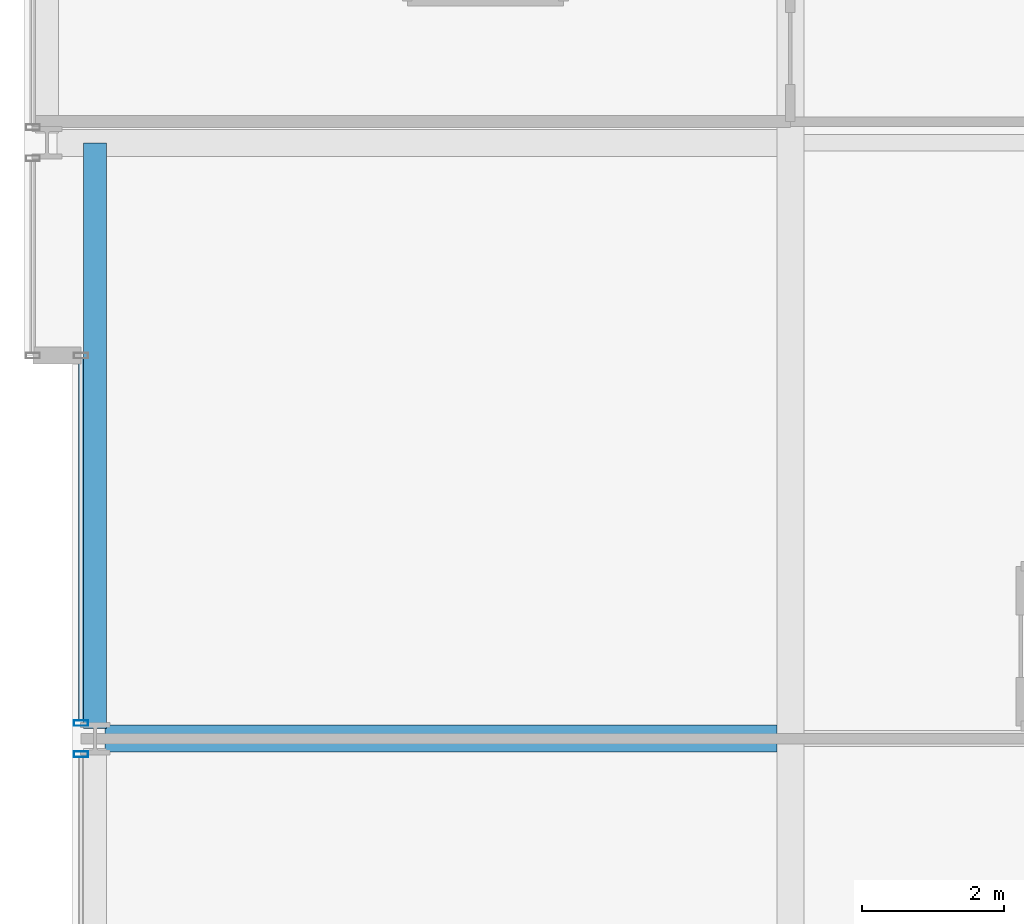
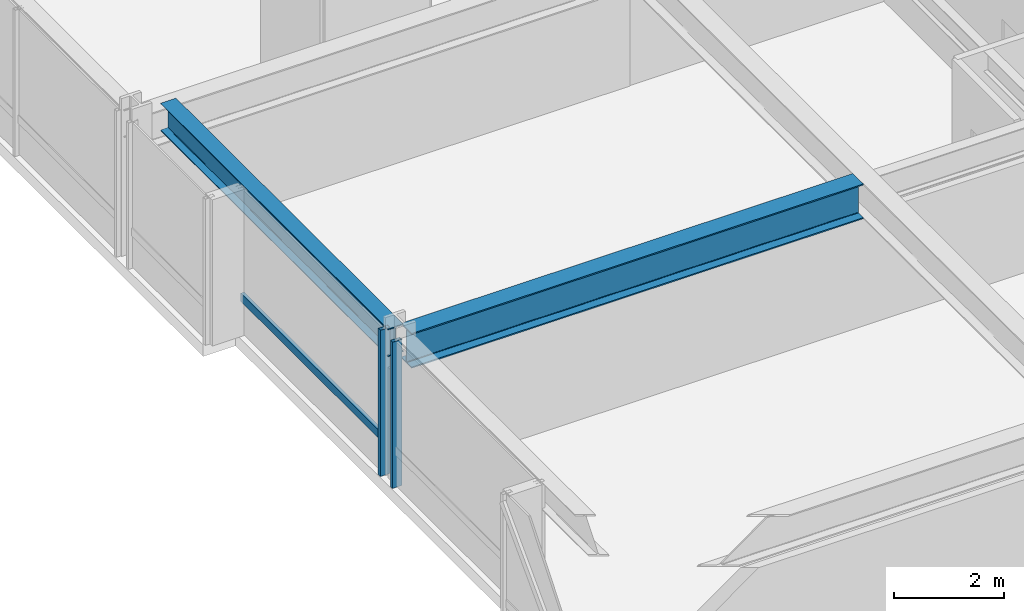
# One storey, part 9 of 35: 3 members, 2 beams, 2 elements without a shape of their own.
"""IFC4 building model written with IfcOpenShell, lengths in metres."""

from ifc_helpers import new_model, si_unit, direction, frame, origin, origin_2d, place, context, subcontext, project, spatial, hollow_rectangle, i_section, extrude, material, layer, layer_set, material_profile, profile_set, type_object, element, aggregate, save


model = new_model("IFC4")

# Units and contexts
model_context = context("Model", 3, precision=1e-05, world=origin(), true_north=direction((0.0, 1.0)))
body_context = subcontext(model_context, "Body", "Model", "MODEL_VIEW")
ifc_project = project(units=[si_unit("LENGTHUNIT", "METRE"), si_unit("AREAUNIT", "SQUARE_METRE"), si_unit("VOLUMEUNIT", "CUBIC_METRE"), si_unit("PLANEANGLEUNIT", "RADIAN"), si_unit("MASSUNIT", "GRAM", prefix="KILO")], contexts=[model_context])

# Site, building, storey
site_placement = place(None, origin())
site = spatial("IfcSite", under=ifc_project, at=site_placement, CompositionType="ELEMENT")
building_placement = place(site_placement, origin())
building = spatial("IfcBuilding", under=site, at=building_placement, Name="Drelvath Grand Hotel", CompositionType="ELEMENT")
storey_placement = place(building_placement, frame((0.0, 0.0, 98.800048828125)))
storey = spatial("IfcBuildingStorey", under=building, at=storey_placement, Name="L24", CompositionType="ELEMENT", Elevation=98.800048828125)

# Curtain wall, member
ifc_material_1 = material(Name="Champagne Bronze Anodised Aluminium Frame", Category="aluminium")
ifc_layer = layer(ifc_material_1, 0.199951171875)
ifc_layer_set = layer_set([ifc_layer], Name="Champagne Bronze Anodised Aluminium Frame")
curtain_wall_type = type_object("IfcCurtainWallType", Name="Stick Curtain Wall CW-03 Champagne Bronze Mid-Rise", PredefinedType="NOTDEFINED", material=ifc_layer_set)
curtain_wall_1_placement = place(storey_placement, origin())
curtain_wall_1 = element("IfcCurtainWall", 1, at=curtain_wall_1_placement, inside=storey, type_object=curtain_wall_type, Name="L24 CW-03 Curtain Wall CW03-L24-WM2", PredefinedType="NOTDEFINED")
ifc_material_profile_1 = material_profile(ifc_material_1, hollow_rectangle(XDim=0.074951171875, YDim=0.179931640625, WallThickness=0.0048828125, at=origin_2d()), Name="HSS180X75X5")
ifc_profile_set_1 = profile_set([ifc_material_profile_1], Name="Champagne Bronze Anodised Aluminium Frame")
member_type_1 = type_object("IfcMemberType", Name="Curtain Wall Horizontal Transom CW-03 HSS180X75X5", PredefinedType="USERDEFINED", material=ifc_profile_set_1)
member_1_placement = place(storey_placement, frame((-26.199951171875, 27.259521484375, 0.81005859375), z_axis=(0.0, 1.0, 0.0), x_axis=(-1.0, 0.0, 0.0)))
member_1 = element("IfcMember", 2, at=member_1_placement, type_object=member_type_1, Name="CW03-L24-WM2 Sill Transom", ObjectType="TRANSOM", PredefinedType="USERDEFINED", context=body_context, shape_type="SweptSolid", body=[
    extrude(hollow_rectangle(XDim=0.074951171875, YDim=0.179931640625, WallThickness=0.0048828125, at=origin_2d()), origin(), (0.0, 0.0, 1.0), 5.1005859375),
])

curtain_wall_2_placement = place(storey_placement, origin())
curtain_wall_2 = element("IfcCurtainWall", 3, at=curtain_wall_2_placement, inside=storey, type_object=curtain_wall_type, Name="L24 CW-03 Curtain Wall CW03-L24-WM1", PredefinedType="NOTDEFINED")
ifc_material_profile_2 = material_profile(ifc_material_1, hollow_rectangle(XDim=0.080078125, YDim=0.199951171875, WallThickness=0.0048828125, at=origin_2d()), Name="HSS200X80X5")
ifc_profile_set_2 = profile_set([ifc_material_profile_2], Name="Champagne Bronze Anodised Aluminium Frame")
member_type_2 = type_object("IfcMemberType", Name="Curtain Wall Vertical Mullion CW-03 HSS200X80X5", PredefinedType="MULLION", material=ifc_profile_set_2)
member_2_placement = place(storey_placement, frame((-26.199951171875, 26.780517578125, 0.0), z_axis=(0.0, 0.0, 1.0), x_axis=(0.0, 1.0, 0.0)))
member_2 = element("IfcMember", 4, at=member_2_placement, type_object=member_type_2, Name="CW03-L24-WM1 Mullion 2", PredefinedType="MULLION", context=body_context, shape_type="SweptSolid", body=[
    extrude(hollow_rectangle(XDim=0.080078125, YDim=0.199951171875, WallThickness=0.0048828125, at=origin_2d()), origin(), (0.0, 0.0, 1.0), 3.239990234375),
])
aggregate(curtain_wall_2, [member_2])

# Member
member_3_placement = place(storey_placement, frame((-26.199951171875, 27.219482421875, 0.0), z_axis=(0.0, 0.0, 1.0), x_axis=(0.0, 1.0, 0.0)))
member_3 = element("IfcMember", 5, at=member_3_placement, type_object=member_type_2, Name="CW03-L24-WM2 Mullion 1", PredefinedType="MULLION", context=body_context, shape_type="SweptSolid", body=[
    extrude(hollow_rectangle(XDim=0.080078125, YDim=0.199951171875, WallThickness=0.0048828125, at=origin_2d()), origin(), (0.0, 0.0, 1.0), 3.239990234375),
])

aggregate(curtain_wall_1, [member_3, member_1])

# Beams
ifc_material_2 = material(Name="Steel ASTM A992 Gr 50", Category="steel")
ifc_material_profile_3 = material_profile(ifc_material_2, i_section(OverallWidth=0.323974609375, OverallDepth=0.611083984375, WebThickness=0.0126953125, FlangeThickness=0.01904296875, FilletRadius=0.02197265625, at=origin_2d()), Name="W24X104")
ifc_profile_set_3 = profile_set([ifc_material_profile_3], Name="Steel ASTM A992 Gr 50")
beam_type_1 = type_object("IfcBeamType", Name="Perimeter Spandrel Beam W24X104", PredefinedType="SPANDREL", material=ifc_profile_set_3)
beam_1_placement = place(storey_placement, frame((-26.0, 27.139892578125, 2.9345703125), z_axis=(0.0, 1.0, 0.0), x_axis=(-1.0, 0.0, 0.0)))
element("IfcBeam", 6, at=beam_1_placement, inside=storey, type_object=beam_type_1, Name="L24 Spandrel West Mid N", PredefinedType="SPANDREL", context=body_context, shape_type="SweptSolid", body=[
    extrude(i_section(OverallWidth=0.323974609375, OverallDepth=0.611083984375, WebThickness=0.0126953125, FlangeThickness=0.01904296875, FilletRadius=0.02197265625, at=origin_2d()), origin(), (0.0, 0.0, 1.0), 8.260009765625),
])
ifc_material_profile_4 = material_profile(ifc_material_2, i_section(OverallWidth=0.380615234375, OverallDepth=0.773193359375, WebThickness=0.0166015625, FlangeThickness=0.027099609375, FilletRadius=0.02490234375, at=origin_2d()), Name="W30X173")
ifc_profile_set_4 = profile_set([ifc_material_profile_4], Name="Steel ASTM A992 Gr 50")
beam_type_2 = type_object("IfcBeamType", Name="Primary Floor Girder W30X173", PredefinedType="BEAM", material=ifc_profile_set_4)
beam_2_placement = place(storey_placement, frame((-25.860107421875, 27.0, 2.853271484375), z_axis=(1.0, 0.0, 0.0), x_axis=(0.0, 1.0, 0.0)))
element("IfcBeam", 7, at=beam_2_placement, inside=storey, type_object=beam_type_2, Name="L24 West Wing Girder E", PredefinedType="BEAM", context=body_context, shape_type="SweptSolid", body=[
    extrude(i_section(OverallWidth=0.380615234375, OverallDepth=0.773193359375, WebThickness=0.0166015625, FlangeThickness=0.027099609375, FilletRadius=0.02490234375, at=origin_2d()), origin(), (0.0, 0.0, 1.0), 9.4697265625),
])

save(model, "model.ifc")
